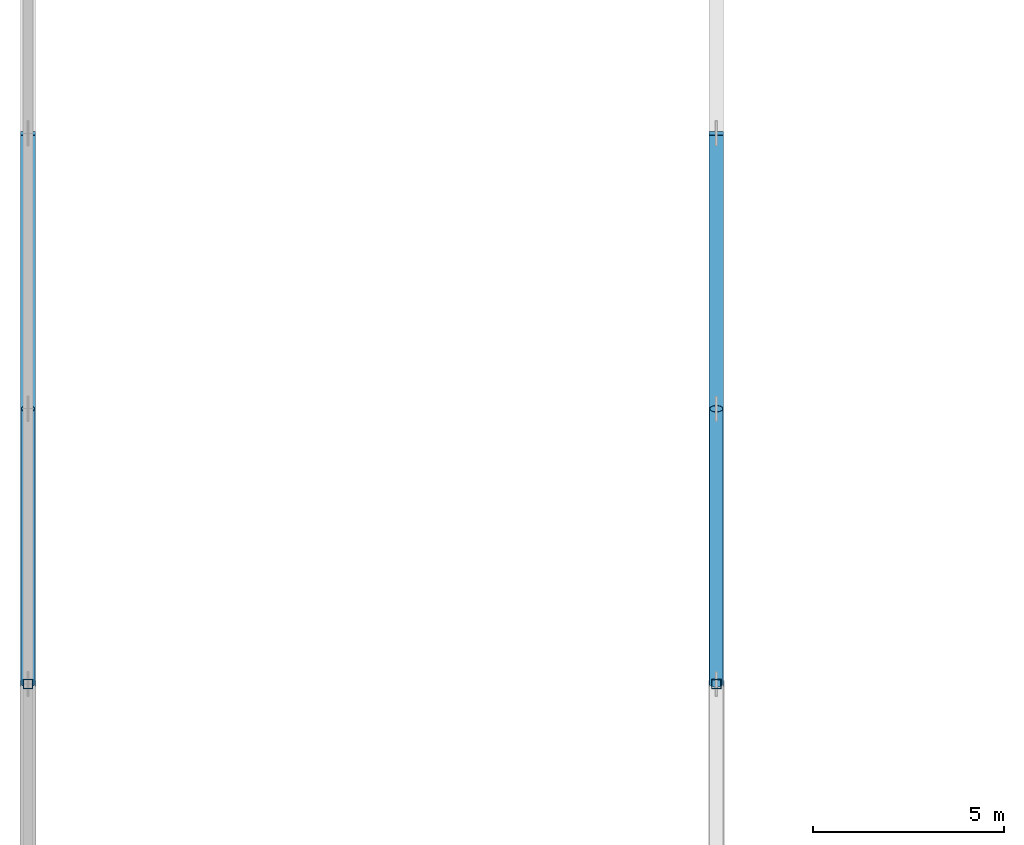
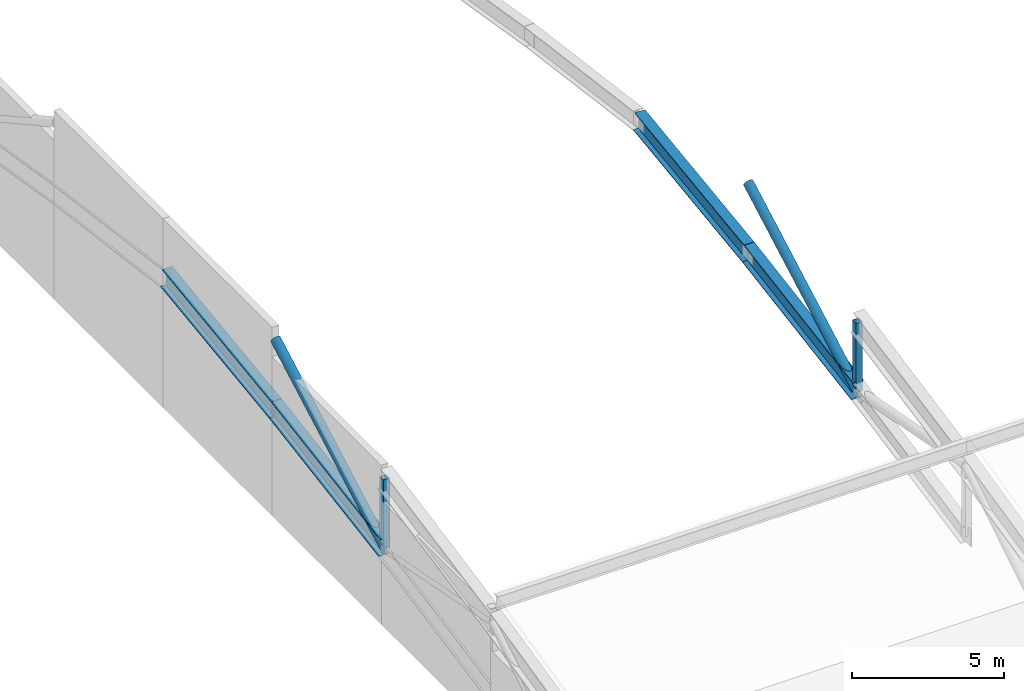
# One storey, part 15 of 124: 8 members.
"""IFC4 building model written with IfcOpenShell, lengths in metres."""

from ifc_helpers import new_model, si_unit, direction, frame, origin, origin_2d, place, context, subcontext, project, spatial, hollow_rectangle, hollow_circle, i_section, extrude, material, material_profile, profile_set, type_object, element, save


model = new_model("IFC4")

# Units and contexts
model_context = context("Model", 3, precision=1e-05, world=origin(), true_north=direction((0.0, 1.0)))
body_context = subcontext(model_context, "Body", "Model", "MODEL_VIEW")
ifc_project = project(units=[si_unit("LENGTHUNIT", "METRE"), si_unit("AREAUNIT", "SQUARE_METRE"), si_unit("VOLUMEUNIT", "CUBIC_METRE"), si_unit("PLANEANGLEUNIT", "RADIAN"), si_unit("MASSUNIT", "GRAM", prefix="KILO")], contexts=[model_context])

# Site, building, storey
site_placement = place(None, origin())
site = spatial("IfcSite", under=ifc_project, at=site_placement, CompositionType="ELEMENT")
building_placement = place(site_placement, origin())
building = spatial("IfcBuilding", under=site, at=building_placement, Name="Celestram Park Convention Centre", CompositionType="ELEMENT")
storey_placement = place(building_placement, frame((0.0, 0.0, 15.300048828125)))
storey = spatial("IfcBuildingStorey", under=building, at=storey_placement, Name="L03", CompositionType="ELEMENT", Elevation=15.300048828125)

# Members
ifc_material_1 = material(Name="Steel ASTM A500 Grade C", Category="steel")
ifc_material_profile_1 = material_profile(ifc_material_1, hollow_circle(Radius=0.177978515625, WallThickness=0.011962890625, at=origin_2d()), Name="CHS356X12")
ifc_profile_set_1 = profile_set([ifc_material_profile_1], Name="Steel ASTM A500 Grade C")
member_type_1 = type_object("IfcMemberType", Name="STR-BRC-CHS356", PredefinedType="BRACE", material=ifc_profile_set_1)
for number, where, z_axis, x_axis, name in (
    (1, (0.0, 50.39990234375, 2.181640625), (0.0, 0.874754026429, 0.484567222629), (-1.0, 0.0, 0.0), "V1 arch web diagonal"),
    (2, (18.0, 50.39990234375, 2.181640625), (0.0, 0.874754026429, 0.484567222629), (-1.0, 0.0, 0.0), "V1 arch web diagonal"),
):
    element("IfcMember", number, at=place(storey_placement, frame(where, z_axis=z_axis, x_axis=x_axis)), inside=storey, type_object=member_type_1, Name=name, PredefinedType="BRACE", context=body_context, shape_type="SweptSolid", body=[
        extrude(hollow_circle(Radius=0.177978515625, WallThickness=0.011962890625, at=origin_2d()), origin(), (0.0, 0.0, 1.0), 8.231201171875),
    ])
ifc_material_2 = material(Name="Steel ASTM A992 Grade 50", Category="steel")
ifc_material_profile_2 = material_profile(ifc_material_2, i_section(OverallWidth=0.381103515625, OverallDepth=0.77197265625, WebThickness=0.0166015625, FlangeThickness=0.027099609375, at=origin_2d()), Name="W30X173")
ifc_profile_set_2 = profile_set([ifc_material_profile_2], Name="Steel ASTM A992 Grade 50")
member_type_2 = type_object("IfcMemberType", Name="STR-CHD-W30X173", PredefinedType="CHORD", material=ifc_profile_set_2)
member_1_placement = place(storey_placement, frame((0.0, 50.39990234375, 2.181640625), z_axis=(0.0, 0.986649508872, 0.162858056734), x_axis=(-1.0, 0.0, 0.0)))
element("IfcMember", 3, at=member_1_placement, inside=storey, type_object=member_type_2, Name="V1 arch bottom chord", PredefinedType="CHORD", context=body_context, shape_type="SweptSolid", body=[
    extrude(i_section(OverallWidth=0.381103515625, OverallDepth=0.77197265625, WebThickness=0.0166015625, FlangeThickness=0.027099609375, at=origin_2d()), origin(), (0.0, 0.0, 1.0), 7.297607421875),
])
member_2_placement = place(storey_placement, frame((0.0, 57.60009765625, 3.3701171875), z_axis=(0.0, 0.991259283276, 0.131928136952), x_axis=(-1.0, 0.0, 0.0)))
element("IfcMember", 4, at=member_2_placement, inside=storey, type_object=member_type_2, Name="V1 arch bottom chord", PredefinedType="CHORD", context=body_context, shape_type="SweptSolid", body=[
    extrude(i_section(OverallWidth=0.381103515625, OverallDepth=0.77197265625, WebThickness=0.0166015625, FlangeThickness=0.027099609375, at=origin_2d()), origin(), (0.0, 0.0, 1.0), 7.263427734375),
])
member_3_placement = place(storey_placement, frame((18.0, 50.39990234375, 2.181640625), z_axis=(0.0, 0.986649508872, 0.162858056734), x_axis=(-1.0, 0.0, 0.0)))
element("IfcMember", 5, at=member_3_placement, inside=storey, type_object=member_type_2, Name="V1 arch bottom chord", PredefinedType="CHORD", context=body_context, shape_type="SweptSolid", body=[
    extrude(i_section(OverallWidth=0.381103515625, OverallDepth=0.77197265625, WebThickness=0.0166015625, FlangeThickness=0.027099609375, at=origin_2d()), origin(), (0.0, 0.0, 1.0), 7.297607421875),
])
member_4_placement = place(storey_placement, frame((18.0, 57.60009765625, 3.3701171875), z_axis=(0.0, 0.991259283276, 0.131928136952), x_axis=(-1.0, 0.0, 0.0)))
element("IfcMember", 6, at=member_4_placement, inside=storey, type_object=member_type_2, Name="V1 arch bottom chord", PredefinedType="CHORD", context=body_context, shape_type="SweptSolid", body=[
    extrude(i_section(OverallWidth=0.381103515625, OverallDepth=0.77197265625, WebThickness=0.0166015625, FlangeThickness=0.027099609375, at=origin_2d()), origin(), (0.0, 0.0, 1.0), 7.263427734375),
])
ifc_material_profile_3 = material_profile(ifc_material_1, hollow_rectangle(XDim=0.25, YDim=0.25, WallThickness=0.011962890625, at=origin_2d()), Name="HSS250X250X12")
ifc_profile_set_3 = profile_set([ifc_material_profile_3], Name="Steel ASTM A500 Grade C")
member_type_3 = type_object("IfcMemberType", Name="STR-STR-HSS250", PredefinedType="STRUT", material=ifc_profile_set_3)
for number, where, z_axis, x_axis, name in (
    (7, (0.0, 50.39990234375, 2.181640625), (0.0, 0.0, 1.0), (1.0, 0.0, 0.0), "V1 arch vertical strut"),
    (8, (18.0, 50.39990234375, 2.181640625), (0.0, 0.0, 1.0), (1.0, 0.0, 0.0), "V1 arch vertical strut"),
):
    element("IfcMember", number, at=place(storey_placement, frame(where, z_axis=z_axis, x_axis=x_axis)), inside=storey, type_object=member_type_3, Name=name, PredefinedType="STRUT", context=body_context, shape_type="SweptSolid", body=[
        extrude(hollow_rectangle(XDim=0.25, YDim=0.25, WallThickness=0.011962890625, at=origin_2d()), origin(), (0.0, 0.0, 1.0), 2.800048828125),
    ])

save(model, "model.ifc")
